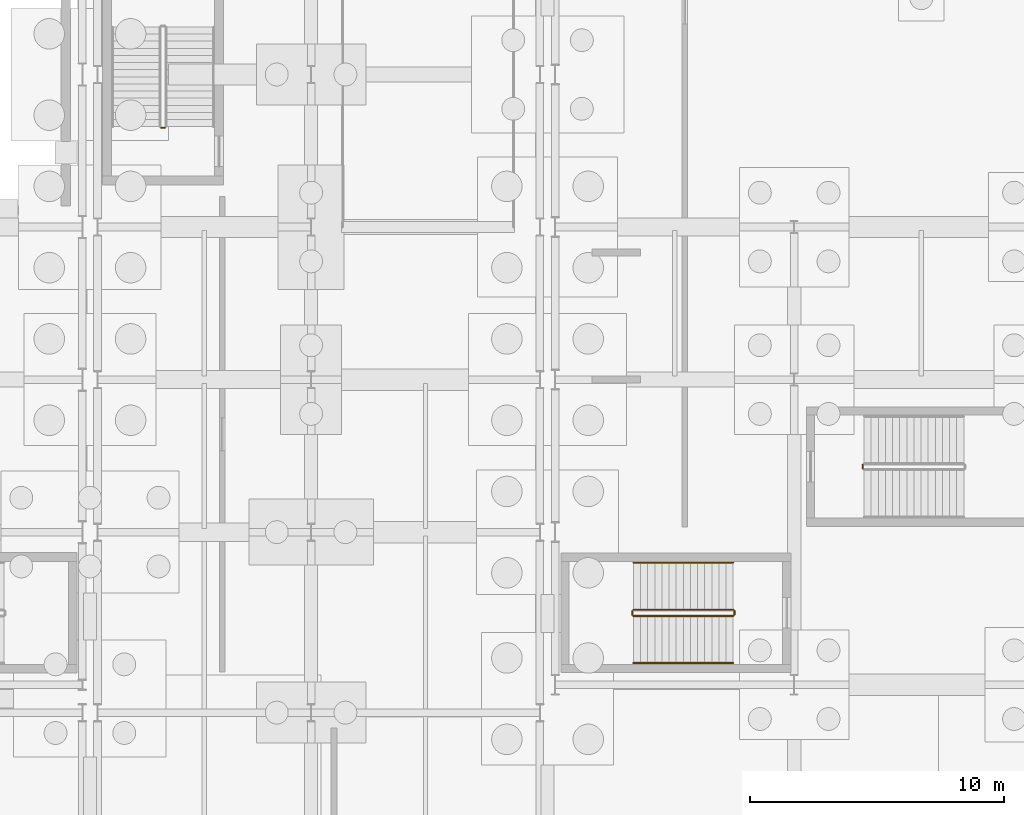
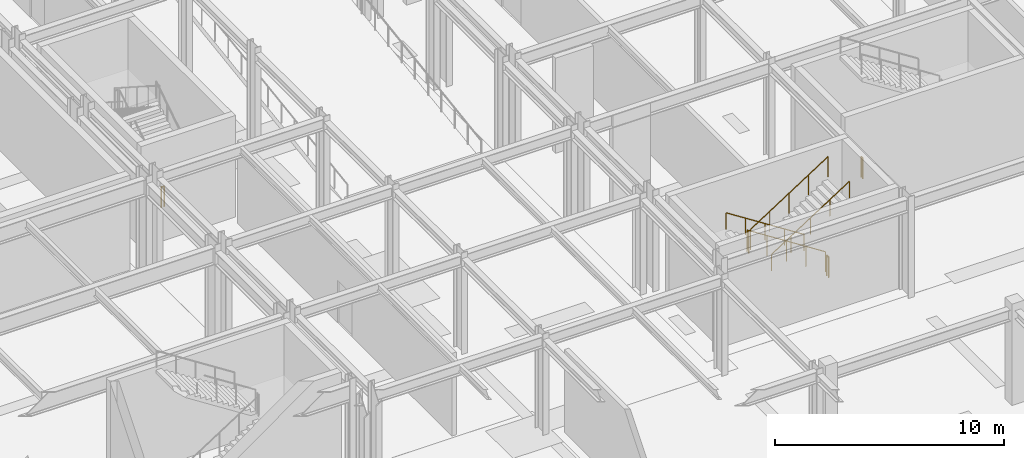
# One storey, part 61 of 65: 8 railings.
"""IFC4 building model written with IfcOpenShell, lengths in metres."""

from ifc_helpers import new_model, si_unit, direction, frame, origin, origin_2d, place, context, subcontext, project, spatial, circle, extrude, material, type_object, element, save


model = new_model("IFC4")

# Units and contexts
model_context = context("Model", 3, precision=1e-05, world=origin(), true_north=direction((0.0, 1.0)))
body_context = subcontext(model_context, "Body", "Model", "MODEL_VIEW")
ifc_project = project(units=[si_unit("LENGTHUNIT", "METRE"), si_unit("AREAUNIT", "SQUARE_METRE"), si_unit("VOLUMEUNIT", "CUBIC_METRE"), si_unit("PLANEANGLEUNIT", "RADIAN"), si_unit("MASSUNIT", "GRAM", prefix="KILO")], contexts=[model_context])

# Site, building, storey
site_placement = place(None, origin())
site = spatial("IfcSite", under=ifc_project, at=site_placement, CompositionType="ELEMENT")
building_placement = place(site_placement, origin())
building = spatial("IfcBuilding", under=site, at=building_placement, Name="Kaldris Quays Convention Centre", CompositionType="ELEMENT")
storey_placement = place(building_placement, frame((0.0, 0.0, -5.39990234375)))
storey = spatial("IfcBuildingStorey", under=building, at=storey_placement, Name="B1", CompositionType="ELEMENT", Elevation=-5.39990234375)

# Railings
ifc_material_1 = material(Name="Steel S355J2", Category="steel")
railing_type_1 = type_object("IfcRailingType", Name="INTERIOR GUARDRAIL GR01", PredefinedType="GUARDRAIL", material=ifc_material_1)
railing_1_placement = place(storey_placement, frame((171.60009765625, 58.949951171875, 0.179931640625)))
element("IfcRailing", 1, at=railing_1_placement, inside=storey, type_object=railing_type_1, Name="B1 ST08 Stair Guardrail 1", PredefinedType="GUARDRAIL", context=body_context, shape_type="SweptSolid", body=[
    extrude(circle(Radius=0.02392578125, at=origin_2d()), frame((0.0, 0.0, 1.076171875), z_axis=(-0.841186985886, 0.0, 0.540744352514), x_axis=(0.0, -1.0, 0.0)), (0.0, 0.0, 1.0), 4.660400390625),
    extrude(circle(Radius=0.02099609375, at=origin_2d()), origin(), (0.0, 0.0, 1.0), 1.052001953125),
    extrude(circle(Radius=0.02099609375, at=origin_2d()), frame((-0.97998046875, 0.0, 0.6298828125)), (0.0, 0.0, 1.0), 1.052001953125),
    extrude(circle(Radius=0.02099609375, at=origin_2d()), frame((-1.9599609375, 0.0, 1.260009765625)), (0.0, 0.0, 1.0), 1.052001953125),
    extrude(circle(Radius=0.02099609375, at=origin_2d()), frame((-2.940185546875, 0.0, 1.89013671875)), (0.0, 0.0, 1.0), 1.052001953125),
    extrude(circle(Radius=0.02099609375, at=origin_2d()), frame((-3.920166015625, 0.0, 2.52001953125)), (0.0, 0.0, 1.0), 1.052001953125),
])
railing_2_placement = place(storey_placement, frame((167.6298828125, 58.89990234375, 2.699951171875)))
element("IfcRailing", 2, at=railing_2_placement, inside=storey, type_object=railing_type_1, Name="B1 ST08 Stair Guardrail 2", PredefinedType="GUARDRAIL", context=body_context, shape_type="SweptSolid", body=[
    extrude(circle(Radius=0.02392578125, at=origin_2d()), frame((0.0, 0.0, 1.076171875), z_axis=(0.0, -1.0, 0.0), x_axis=(1.0, 0.0, 0.0)), (0.0, 0.0, 1.0), 0.14990234375),
    extrude(circle(Radius=0.02099609375, at=origin_2d()), origin(), (0.0, 0.0, 1.0), 1.052001953125),
    extrude(circle(Radius=0.02099609375, at=origin_2d()), frame((0.0, -0.14990234375, 0.0)), (0.0, 0.0, 1.0), 1.052001953125),
])
railing_3_placement = place(storey_placement, frame((167.679931640625, 58.699951171875, 2.8798828125)))
element("IfcRailing", 3, at=railing_3_placement, inside=storey, type_object=railing_type_1, Name="B1 ST08 Stair Guardrail 3", PredefinedType="GUARDRAIL", context=body_context, shape_type="SweptSolid", body=[
    extrude(circle(Radius=0.02392578125, at=origin_2d()), frame((0.0, 0.0, 1.076171875), z_axis=(0.841186985886, 0.0, 0.540744352514), x_axis=(0.0, 1.0, 0.0)), (0.0, 0.0, 1.0), 4.660400390625),
    extrude(circle(Radius=0.02099609375, at=origin_2d()), origin(), (0.0, 0.0, 1.0), 1.052001953125),
    extrude(circle(Radius=0.02099609375, at=origin_2d()), frame((0.97998046875, 0.0, 0.6298828125)), (0.0, 0.0, 1.0), 1.052001953125),
    extrude(circle(Radius=0.02099609375, at=origin_2d()), frame((1.9599609375, 0.0, 1.260009765625)), (0.0, 0.0, 1.0), 1.052001953125),
    extrude(circle(Radius=0.02099609375, at=origin_2d()), frame((2.940185546875, 0.0, 1.89013671875)), (0.0, 0.0, 1.0), 1.052001953125),
    extrude(circle(Radius=0.02099609375, at=origin_2d()), frame((3.920166015625, 0.0, 2.52001953125)), (0.0, 0.0, 1.0), 1.052001953125),
])
railing_4_placement = place(storey_placement, frame((171.64990234375, 58.89990234375, 0.0)))
element("IfcRailing", 4, at=railing_4_placement, inside=storey, type_object=railing_type_1, Name="B1 ST08 Stair Guardrail 4", PredefinedType="GUARDRAIL", context=body_context, shape_type="SweptSolid", body=[
    extrude(circle(Radius=0.02392578125, at=origin_2d()), frame((0.0, 0.0, 1.076171875), z_axis=(0.0, -1.0, 0.0), x_axis=(1.0, 0.0, 0.0)), (0.0, 0.0, 1.0), 0.14990234375),
    extrude(circle(Radius=0.02099609375, at=origin_2d()), origin(), (0.0, 0.0, 1.0), 1.052001953125),
    extrude(circle(Radius=0.02099609375, at=origin_2d()), frame((0.0, -0.14990234375, 0.0)), (0.0, 0.0, 1.0), 1.052001953125),
])
railing_5_placement = place(storey_placement, frame((176.699951171875, 64.5, 0.0)))
element("IfcRailing", 5, at=railing_5_placement, inside=storey, type_object=railing_type_1, Name="B1 ST10 Stair Guardrail 4", PredefinedType="GUARDRAIL", context=body_context, shape_type="SweptSolid", body=[
    extrude(circle(Radius=0.02392578125, at=origin_2d()), frame((0.0, 0.0, 1.076171875), z_axis=(0.0, 1.0, 0.0), x_axis=(-1.0, 0.0, 0.0)), (0.0, 0.0, 1.0), 0.14990234375),
    extrude(circle(Radius=0.02099609375, at=origin_2d()), origin(), (0.0, 0.0, 1.0), 1.052001953125),
    extrude(circle(Radius=0.02099609375, at=origin_2d()), frame((0.0, 0.14990234375, 0.0)), (0.0, 0.0, 1.0), 1.052001953125),
])
railing_6_placement = place(storey_placement, frame((149.25, 77.89990234375, 0.0)))
element("IfcRailing", 6, at=railing_6_placement, inside=storey, type_object=railing_type_1, Name="B1 ST14 Stair Guardrail 4", PredefinedType="GUARDRAIL", context=body_context, shape_type="SweptSolid", body=[
    extrude(circle(Radius=0.02392578125, at=origin_2d()), frame((0.0, 0.0, 1.076171875), z_axis=(-1.0, 0.0, 0.0), x_axis=(0.0, -1.0, 0.0)), (0.0, 0.0, 1.0), 0.14990234375),
    extrude(circle(Radius=0.02099609375, at=origin_2d()), origin(), (0.0, 0.0, 1.0), 1.052001953125),
    extrude(circle(Radius=0.02099609375, at=origin_2d()), frame((-0.14990234375, 0.0, 0.0)), (0.0, 0.0, 1.0), 1.052001953125),
])
ifc_material_2 = material(Name="Stainless steel 1.4301", Category="steel")
railing_type_2 = type_object("IfcRailingType", Name="STAIR HANDRAIL HR01", PredefinedType="HANDRAIL", material=ifc_material_2)
railing_7_placement = place(storey_placement, frame((171.60009765625, 60.800048828125, 0.179931640625)))
element("IfcRailing", 7, at=railing_7_placement, inside=storey, type_object=railing_type_2, Name="B1 ST08 Flight Handrail 1", PredefinedType="HANDRAIL", context=body_context, shape_type="SweptSolid", body=[
    extrude(circle(Radius=0.02392578125, at=origin_2d()), frame((0.0, 0.0, 0.8759765625), z_axis=(-0.841186985886, 0.0, 0.540744352514), x_axis=(0.0, -1.0, 0.0)), (0.0, 0.0, 1.0), 4.660400390625),
    extrude(circle(Radius=0.02099609375, at=origin_2d()), origin(), (0.0, 0.0, 1.0), 0.851806640625),
    extrude(circle(Radius=0.02099609375, at=origin_2d()), frame((-0.97998046875, 0.0, 0.6298828125)), (0.0, 0.0, 1.0), 0.851806640625),
    extrude(circle(Radius=0.02099609375, at=origin_2d()), frame((-1.9599609375, 0.0, 1.260009765625)), (0.0, 0.0, 1.0), 0.851806640625),
    extrude(circle(Radius=0.02099609375, at=origin_2d()), frame((-2.940185546875, 0.0, 1.89013671875)), (0.0, 0.0, 1.0), 0.851806640625),
    extrude(circle(Radius=0.02099609375, at=origin_2d()), frame((-3.920166015625, 0.0, 2.52001953125)), (0.0, 0.0, 1.0), 0.851806640625),
])
railing_8_placement = place(storey_placement, frame((167.679931640625, 56.85009765625, 2.8798828125)))
element("IfcRailing", 8, at=railing_8_placement, inside=storey, type_object=railing_type_2, Name="B1 ST08 Flight Handrail 2", PredefinedType="HANDRAIL", context=body_context, shape_type="SweptSolid", body=[
    extrude(circle(Radius=0.02392578125, at=origin_2d()), frame((0.0, 0.0, 0.8759765625), z_axis=(0.841186985886, 0.0, 0.540744352514), x_axis=(0.0, 1.0, 0.0)), (0.0, 0.0, 1.0), 4.660400390625),
    extrude(circle(Radius=0.02099609375, at=origin_2d()), origin(), (0.0, 0.0, 1.0), 0.851806640625),
    extrude(circle(Radius=0.02099609375, at=origin_2d()), frame((0.97998046875, 0.0, 0.6298828125)), (0.0, 0.0, 1.0), 0.851806640625),
    extrude(circle(Radius=0.02099609375, at=origin_2d()), frame((1.9599609375, 0.0, 1.260009765625)), (0.0, 0.0, 1.0), 0.851806640625),
    extrude(circle(Radius=0.02099609375, at=origin_2d()), frame((2.940185546875, 0.0, 1.89013671875)), (0.0, 0.0, 1.0), 0.851806640625),
    extrude(circle(Radius=0.02099609375, at=origin_2d()), frame((3.920166015625, 0.0, 2.52001953125)), (0.0, 0.0, 1.0), 0.851806640625),
])

save(model, "model.ifc")
